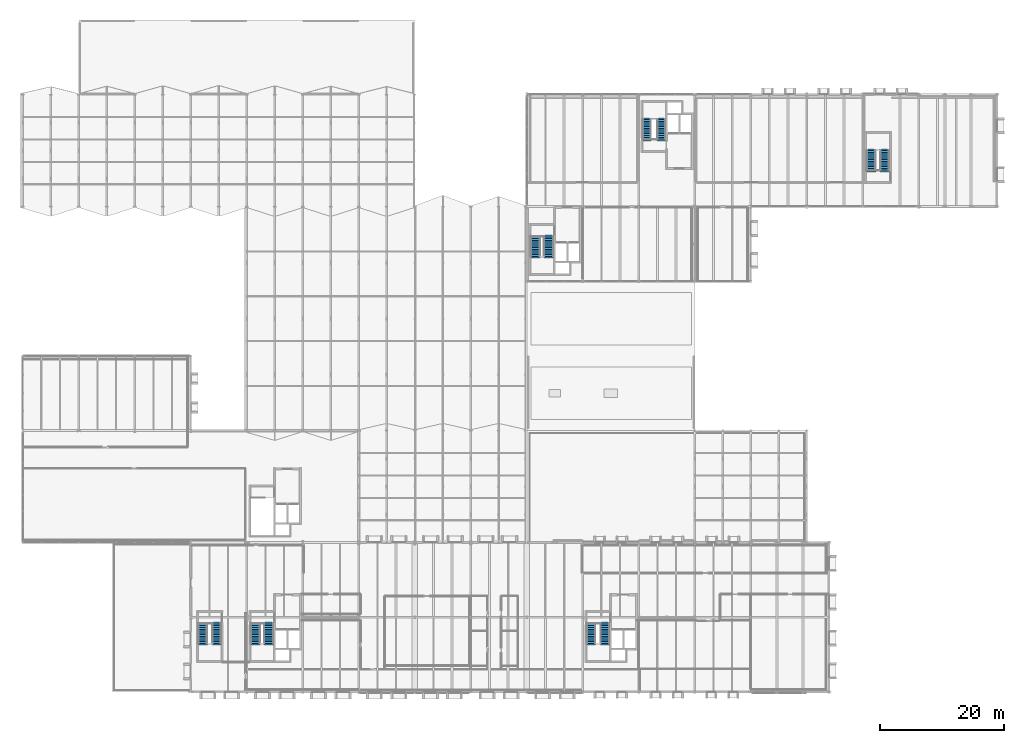
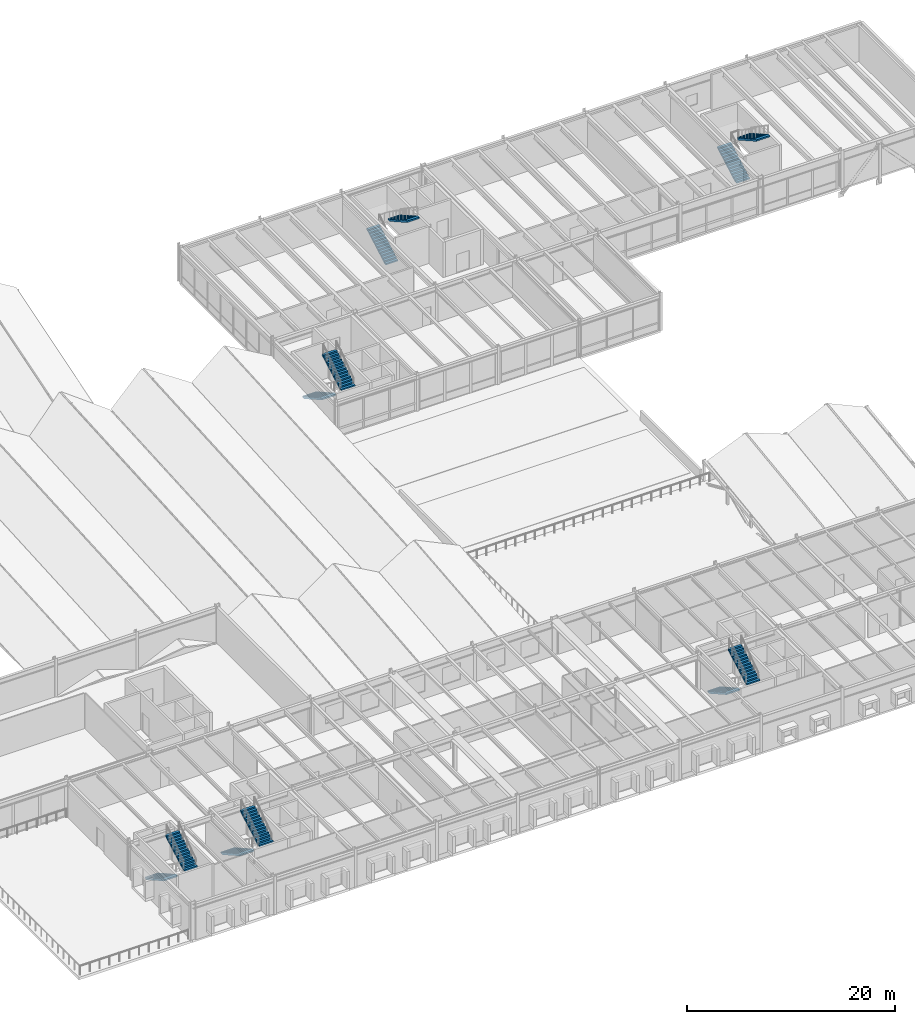
# One storey, part 138 of 142: 12 stair flights, 6 elements without a shape of their own.
"""IFC4 building model written with IfcOpenShell, lengths in metres."""

from ifc_helpers import new_model, si_unit, direction, frame, origin, place, context, subcontext, project, spatial, polyline, outline, extrude, material, type_object, element, aggregate, save


model = new_model("IFC4")

# Units and contexts
model_context = context("Model", 3, precision=1e-05, world=origin(), true_north=direction((0.0, 1.0)))
body_context = subcontext(model_context, "Body", "Model", "MODEL_VIEW")
ifc_project = project(units=[si_unit("LENGTHUNIT", "METRE"), si_unit("AREAUNIT", "SQUARE_METRE"), si_unit("VOLUMEUNIT", "CUBIC_METRE"), si_unit("PLANEANGLEUNIT", "RADIAN"), si_unit("MASSUNIT", "GRAM", prefix="KILO")], contexts=[model_context])

# Site, building, storey
site_placement = place(None, origin())
site = spatial("IfcSite", under=ifc_project, at=site_placement, CompositionType="ELEMENT")
building_placement = place(site_placement, origin())
building = spatial("IfcBuilding", under=site, at=building_placement, Name="Montelvaro Courts of Justice", CompositionType="ELEMENT")
storey_placement = place(building_placement, frame((0.0, 0.0, 14.39990234375)))
storey = spatial("IfcBuildingStorey", under=building, at=storey_placement, Name="L03", CompositionType="ELEMENT", Elevation=14.39990234375)

# Stair, stair flights
ifc_material = material(Name="Concrete C35/45", Category="concrete")
stair_type_1 = type_object("IfcStairType", Name="ProtectedStair_135", PredefinedType="HALF_TURN_STAIR", material=ifc_material)
stair_1_placement = place(storey_placement, origin())
stair_1 = element("IfcStair", 1, at=stair_1_placement, inside=storey, type_object=stair_type_1, Name="Protected Stair ST-K3-L03", PredefinedType="HALF_TURN_STAIR")
stair_flight_type_1 = type_object("IfcStairFlightType", Name="StairFlight_135", PredefinedType="STRAIGHT", material=ifc_material)
stair_flight_1_placement = place(storey_placement, frame((118.27490234375, 88.580078125, 0.0), z_axis=(0.0, 0.0, 1.0), x_axis=(0.0, 1.0, 0.0)))
stair_flight_1 = element("IfcStairFlight", 2, at=stair_flight_1_placement, type_object=stair_flight_type_1, Name="ST-K3-L03 flight 1", NumberOfRisers=14, NumberOfTreads=13, PredefinedType="STRAIGHT", RiserHeight=0.160714286, TreadLength=0.285, context=body_context, shape_type="SweptSolid", body=[
    extrude(outline(polyline([(0.0, 0.0), (0.0, 0.16064453125), (0.284912109375, 0.16064453125), (0.284912109375, 0.321533203125), (0.570068359375, 0.321533203125), (0.570068359375, 0.482177734375), (0.85498046875, 0.482177734375), (0.85498046875, 0.642822265625), (1.139892578125, 0.642822265625), (1.139892578125, 0.803466796875), (1.425048828125, 0.803466796875), (1.425048828125, 0.96435546875), (1.7099609375, 0.96435546875), (1.7099609375, 1.125), (1.9951171875, 1.125), (1.9951171875, 1.28564453125), (2.280029296875, 1.28564453125), (2.280029296875, 1.446533203125), (2.56494140625, 1.446533203125), (2.56494140625, 1.607177734375), (2.85009765625, 1.607177734375), (2.85009765625, 1.767822265625), (3.135009765625, 1.767822265625), (3.135009765625, 1.928466796875), (3.419921875, 1.928466796875), (3.419921875, 2.08935546875), (3.705078125, 2.08935546875), (3.705078125, 2.25), (3.705078125, 1.90576171875), (0.325439453125, 0.0), (0.0, 0.0)])), frame((0.0, 0.675048828125, 0.0), z_axis=(0.0, -1.0, 0.0), x_axis=(1.0, 0.0, 0.0)), (0.0, 0.0, 1.0), 1.35009765625),
])
stair_flight_2_placement = place(storey_placement, frame((120.625, 92.284912109375, 2.25), z_axis=(0.0, 0.0, 1.0), x_axis=(0.0, -1.0, 0.0)))
stair_flight_2 = element("IfcStairFlight", 3, at=stair_flight_2_placement, type_object=stair_flight_type_1, Name="ST-K3-L03 flight 2", NumberOfRisers=14, NumberOfTreads=13, PredefinedType="STRAIGHT", RiserHeight=0.160714286, TreadLength=0.285, context=body_context, shape_type="SweptSolid", body=[
    extrude(outline(polyline([(0.0, 0.0), (0.0, 0.16064453125), (0.284912109375, 0.16064453125), (0.284912109375, 0.321533203125), (0.570068359375, 0.321533203125), (0.570068359375, 0.482177734375), (0.85498046875, 0.482177734375), (0.85498046875, 0.642822265625), (1.139892578125, 0.642822265625), (1.139892578125, 0.803466796875), (1.425048828125, 0.803466796875), (1.425048828125, 0.96435546875), (1.7099609375, 0.96435546875), (1.7099609375, 1.125), (1.9951171875, 1.125), (1.9951171875, 1.28564453125), (2.280029296875, 1.28564453125), (2.280029296875, 1.446533203125), (2.56494140625, 1.446533203125), (2.56494140625, 1.607177734375), (2.85009765625, 1.607177734375), (2.85009765625, 1.767822265625), (3.135009765625, 1.767822265625), (3.135009765625, 1.928466796875), (3.419921875, 1.928466796875), (3.419921875, 2.08935546875), (3.705078125, 2.08935546875), (3.705078125, 2.25), (3.705078125, 1.90576171875), (0.325439453125, 0.0), (0.0, 0.0)])), frame((0.0, 0.675048828125, 0.0), z_axis=(0.0, -1.0, 0.0), x_axis=(1.0, 0.0, 0.0)), (0.0, 0.0, 1.0), 1.35009765625),
])
aggregate(stair_1, [stair_flight_1, stair_flight_2])

stair_type_2 = type_object("IfcStairType", Name="ProtectedStair_145", PredefinedType="HALF_TURN_STAIR", material=ifc_material)
stair_2_placement = place(storey_placement, origin())
stair_2 = element("IfcStair", 4, at=stair_2_placement, inside=storey, type_object=stair_type_2, Name="Protected Stair ST-K2-L03", PredefinedType="HALF_TURN_STAIR")
stair_flight_type_2 = type_object("IfcStairFlightType", Name="StairFlight_145", PredefinedType="STRAIGHT", material=ifc_material)
stair_flight_3_placement = place(storey_placement, frame((109.324951171875, 11.219970703125, 0.0), z_axis=(0.0, 0.0, 1.0), x_axis=(0.0, -1.0, 0.0)))
stair_flight_3 = element("IfcStairFlight", 5, at=stair_flight_3_placement, type_object=stair_flight_type_2, Name="ST-K2-L03 flight 1", NumberOfRisers=14, NumberOfTreads=13, PredefinedType="STRAIGHT", RiserHeight=0.160714286, TreadLength=0.285, context=body_context, shape_type="SweptSolid", body=[
    extrude(outline(polyline([(0.0, 0.0), (0.0, 0.16064453125), (0.284912109375, 0.16064453125), (0.284912109375, 0.321533203125), (0.570068359375, 0.321533203125), (0.570068359375, 0.482177734375), (0.85498046875, 0.482177734375), (0.85498046875, 0.642822265625), (1.139892578125, 0.642822265625), (1.139892578125, 0.803466796875), (1.425048828125, 0.803466796875), (1.425048828125, 0.96435546875), (1.7099609375, 0.96435546875), (1.7099609375, 1.125), (1.9951171875, 1.125), (1.9951171875, 1.28564453125), (2.280029296875, 1.28564453125), (2.280029296875, 1.446533203125), (2.56494140625, 1.446533203125), (2.56494140625, 1.607177734375), (2.85009765625, 1.607177734375), (2.85009765625, 1.767822265625), (3.135009765625, 1.767822265625), (3.135009765625, 1.928466796875), (3.419921875, 1.928466796875), (3.419921875, 2.08935546875), (3.705078125, 2.08935546875), (3.705078125, 2.25), (3.705078125, 1.90576171875), (0.325439453125, 0.0), (0.0, 0.0)])), frame((0.0, 0.72509765625, 0.0), z_axis=(0.0, -1.0, 0.0), x_axis=(1.0, 0.0, 0.0)), (0.0, 0.0, 1.0), 1.449951171875),
])
stair_flight_4_placement = place(storey_placement, frame((111.574951171875, 7.514892578125, 2.25), z_axis=(0.0, 0.0, 1.0), x_axis=(0.0, 1.0, 0.0)))
stair_flight_4 = element("IfcStairFlight", 6, at=stair_flight_4_placement, type_object=stair_flight_type_2, Name="ST-K2-L03 flight 2", NumberOfRisers=14, NumberOfTreads=13, PredefinedType="STRAIGHT", RiserHeight=0.160714286, TreadLength=0.285, context=body_context, shape_type="SweptSolid", body=[
    extrude(outline(polyline([(0.0, 0.0), (0.0, 0.16064453125), (0.284912109375, 0.16064453125), (0.284912109375, 0.321533203125), (0.570068359375, 0.321533203125), (0.570068359375, 0.482177734375), (0.85498046875, 0.482177734375), (0.85498046875, 0.642822265625), (1.139892578125, 0.642822265625), (1.139892578125, 0.803466796875), (1.425048828125, 0.803466796875), (1.425048828125, 0.96435546875), (1.7099609375, 0.96435546875), (1.7099609375, 1.125), (1.9951171875, 1.125), (1.9951171875, 1.28564453125), (2.280029296875, 1.28564453125), (2.280029296875, 1.446533203125), (2.56494140625, 1.446533203125), (2.56494140625, 1.607177734375), (2.85009765625, 1.607177734375), (2.85009765625, 1.767822265625), (3.135009765625, 1.767822265625), (3.135009765625, 1.928466796875), (3.419921875, 1.928466796875), (3.419921875, 2.08935546875), (3.705078125, 2.08935546875), (3.705078125, 2.25), (3.705078125, 1.90576171875), (0.325439453125, 0.0), (0.0, 0.0)])), frame((0.0, 0.72509765625, 0.0), z_axis=(0.0, -1.0, 0.0), x_axis=(1.0, 0.0, 0.0)), (0.0, 0.0, 1.0), 1.449951171875),
])
aggregate(stair_2, [stair_flight_3, stair_flight_4])

stair_3_placement = place(storey_placement, origin())
stair_3 = element("IfcStair", 7, at=stair_3_placement, inside=storey, type_object=stair_type_2, Name="Protected Stair ST-E1-L03", PredefinedType="HALF_TURN_STAIR")
stair_flight_5_placement = place(storey_placement, frame((46.925048828125, 11.219970703125, 0.0), z_axis=(0.0, 0.0, 1.0), x_axis=(0.0, -1.0, 0.0)))
stair_flight_5 = element("IfcStairFlight", 8, at=stair_flight_5_placement, type_object=stair_flight_type_2, Name="ST-E1-L03 flight 1", NumberOfRisers=14, NumberOfTreads=13, PredefinedType="STRAIGHT", RiserHeight=0.160714286, TreadLength=0.285, context=body_context, shape_type="SweptSolid", body=[
    extrude(outline(polyline([(0.0, 0.0), (0.0, 0.16064453125), (0.284912109375, 0.16064453125), (0.284912109375, 0.321533203125), (0.570068359375, 0.321533203125), (0.570068359375, 0.482177734375), (0.85498046875, 0.482177734375), (0.85498046875, 0.642822265625), (1.139892578125, 0.642822265625), (1.139892578125, 0.803466796875), (1.425048828125, 0.803466796875), (1.425048828125, 0.96435546875), (1.7099609375, 0.96435546875), (1.7099609375, 1.125), (1.9951171875, 1.125), (1.9951171875, 1.28564453125), (2.280029296875, 1.28564453125), (2.280029296875, 1.446533203125), (2.56494140625, 1.446533203125), (2.56494140625, 1.607177734375), (2.85009765625, 1.607177734375), (2.85009765625, 1.767822265625), (3.135009765625, 1.767822265625), (3.135009765625, 1.928466796875), (3.419921875, 1.928466796875), (3.419921875, 2.08935546875), (3.705078125, 2.08935546875), (3.705078125, 2.25), (3.705078125, 1.90576171875), (0.325439453125, 0.0), (0.0, 0.0)])), frame((0.0, 0.72509765625, 0.0), z_axis=(0.0, -1.0, 0.0), x_axis=(1.0, 0.0, 0.0)), (0.0, 0.0, 1.0), 1.449951171875),
])
stair_flight_6_placement = place(storey_placement, frame((49.175048828125, 7.514892578125, 2.25), z_axis=(0.0, 0.0, 1.0), x_axis=(0.0, 1.0, 0.0)))
stair_flight_6 = element("IfcStairFlight", 9, at=stair_flight_6_placement, type_object=stair_flight_type_2, Name="ST-E1-L03 flight 2", NumberOfRisers=14, NumberOfTreads=13, PredefinedType="STRAIGHT", RiserHeight=0.160714286, TreadLength=0.285, context=body_context, shape_type="SweptSolid", body=[
    extrude(outline(polyline([(0.0, 0.0), (0.0, 0.16064453125), (0.284912109375, 0.16064453125), (0.284912109375, 0.321533203125), (0.570068359375, 0.321533203125), (0.570068359375, 0.482177734375), (0.85498046875, 0.482177734375), (0.85498046875, 0.642822265625), (1.139892578125, 0.642822265625), (1.139892578125, 0.803466796875), (1.425048828125, 0.803466796875), (1.425048828125, 0.96435546875), (1.7099609375, 0.96435546875), (1.7099609375, 1.125), (1.9951171875, 1.125), (1.9951171875, 1.28564453125), (2.280029296875, 1.28564453125), (2.280029296875, 1.446533203125), (2.56494140625, 1.446533203125), (2.56494140625, 1.607177734375), (2.85009765625, 1.607177734375), (2.85009765625, 1.767822265625), (3.135009765625, 1.767822265625), (3.135009765625, 1.928466796875), (3.419921875, 1.928466796875), (3.419921875, 2.08935546875), (3.705078125, 2.08935546875), (3.705078125, 2.25), (3.705078125, 1.90576171875), (0.325439453125, 0.0), (0.0, 0.0)])), frame((0.0, 0.72509765625, 0.0), z_axis=(0.0, -1.0, 0.0), x_axis=(1.0, 0.0, 0.0)), (0.0, 0.0, 1.0), 1.449951171875),
])
aggregate(stair_3, [stair_flight_5, stair_flight_6])

stair_type_3 = type_object("IfcStairType", Name="ProtectedStair_150", PredefinedType="HALF_TURN_STAIR", material=ifc_material)
stair_4_placement = place(storey_placement, origin())
stair_4 = element("IfcStair", 10, at=stair_4_placement, inside=storey, type_object=stair_type_3, Name="Protected Stair ST-V2-L03", PredefinedType="HALF_TURN_STAIR")
stair_flight_type_3 = type_object("IfcStairFlightType", Name="StairFlight_150", PredefinedType="STRAIGHT", material=ifc_material)
stair_flight_7_placement = place(storey_placement, frame((154.35009765625, 83.580078125, 0.0), z_axis=(0.0, 0.0, 1.0), x_axis=(0.0, 1.0, 0.0)))
stair_flight_7 = element("IfcStairFlight", 11, at=stair_flight_7_placement, type_object=stair_flight_type_3, Name="ST-V2-L03 flight 1", NumberOfRisers=14, NumberOfTreads=13, PredefinedType="STRAIGHT", RiserHeight=0.160714286, TreadLength=0.285, context=body_context, shape_type="SweptSolid", body=[
    extrude(outline(polyline([(0.0, 0.0), (0.0, 0.16064453125), (0.284912109375, 0.16064453125), (0.284912109375, 0.321533203125), (0.570068359375, 0.321533203125), (0.570068359375, 0.482177734375), (0.85498046875, 0.482177734375), (0.85498046875, 0.642822265625), (1.139892578125, 0.642822265625), (1.139892578125, 0.803466796875), (1.425048828125, 0.803466796875), (1.425048828125, 0.96435546875), (1.7099609375, 0.96435546875), (1.7099609375, 1.125), (1.9951171875, 1.125), (1.9951171875, 1.28564453125), (2.280029296875, 1.28564453125), (2.280029296875, 1.446533203125), (2.56494140625, 1.446533203125), (2.56494140625, 1.607177734375), (2.85009765625, 1.607177734375), (2.85009765625, 1.767822265625), (3.135009765625, 1.767822265625), (3.135009765625, 1.928466796875), (3.419921875, 1.928466796875), (3.419921875, 2.08935546875), (3.705078125, 2.08935546875), (3.705078125, 2.25), (3.705078125, 1.90576171875), (0.325439453125, 0.0), (0.0, 0.0)])), frame((0.0, 0.75, 0.0), z_axis=(0.0, -1.0, 0.0), x_axis=(1.0, 0.0, 0.0)), (0.0, 0.0, 1.0), 1.5),
])
stair_flight_8_placement = place(storey_placement, frame((156.550048828125, 87.284912109375, 2.25), z_axis=(0.0, 0.0, 1.0), x_axis=(0.0, -1.0, 0.0)))
stair_flight_8 = element("IfcStairFlight", 12, at=stair_flight_8_placement, type_object=stair_flight_type_3, Name="ST-V2-L03 flight 2", NumberOfRisers=14, NumberOfTreads=13, PredefinedType="STRAIGHT", RiserHeight=0.160714286, TreadLength=0.285, context=body_context, shape_type="SweptSolid", body=[
    extrude(outline(polyline([(0.0, 0.0), (0.0, 0.16064453125), (0.284912109375, 0.16064453125), (0.284912109375, 0.321533203125), (0.570068359375, 0.321533203125), (0.570068359375, 0.482177734375), (0.85498046875, 0.482177734375), (0.85498046875, 0.642822265625), (1.139892578125, 0.642822265625), (1.139892578125, 0.803466796875), (1.425048828125, 0.803466796875), (1.425048828125, 0.96435546875), (1.7099609375, 0.96435546875), (1.7099609375, 1.125), (1.9951171875, 1.125), (1.9951171875, 1.28564453125), (2.280029296875, 1.28564453125), (2.280029296875, 1.446533203125), (2.56494140625, 1.446533203125), (2.56494140625, 1.607177734375), (2.85009765625, 1.607177734375), (2.85009765625, 1.767822265625), (3.135009765625, 1.767822265625), (3.135009765625, 1.928466796875), (3.419921875, 1.928466796875), (3.419921875, 2.08935546875), (3.705078125, 2.08935546875), (3.705078125, 2.25), (3.705078125, 1.90576171875), (0.325439453125, 0.0), (0.0, 0.0)])), frame((0.0, 0.75, 0.0), z_axis=(0.0, -1.0, 0.0), x_axis=(1.0, 0.0, 0.0)), (0.0, 0.0, 1.0), 1.5),
])
aggregate(stair_4, [stair_flight_7, stair_flight_8])

stair_type_4 = type_object("IfcStairType", Name="ProtectedStair_155", PredefinedType="HALF_TURN_STAIR", material=ifc_material)
stair_5_placement = place(storey_placement, origin())
stair_5 = element("IfcStair", 13, at=stair_5_placement, inside=storey, type_object=stair_type_4, Name="Protected Stair ST-K1-L03", PredefinedType="HALF_TURN_STAIR")
stair_flight_type_4 = type_object("IfcStairFlightType", Name="StairFlight_155", PredefinedType="STRAIGHT", material=ifc_material)
stair_flight_9_placement = place(storey_placement, frame((55.375, 11.219970703125, 0.0), z_axis=(0.0, 0.0, 1.0), x_axis=(0.0, -1.0, 0.0)))
stair_flight_9 = element("IfcStairFlight", 14, at=stair_flight_9_placement, type_object=stair_flight_type_4, Name="ST-K1-L03 flight 1", NumberOfRisers=14, NumberOfTreads=13, PredefinedType="STRAIGHT", RiserHeight=0.160714286, TreadLength=0.285, context=body_context, shape_type="SweptSolid", body=[
    extrude(outline(polyline([(0.0, 0.0), (0.0, 0.16064453125), (0.284912109375, 0.16064453125), (0.284912109375, 0.321533203125), (0.570068359375, 0.321533203125), (0.570068359375, 0.482177734375), (0.85498046875, 0.482177734375), (0.85498046875, 0.642822265625), (1.139892578125, 0.642822265625), (1.139892578125, 0.803466796875), (1.425048828125, 0.803466796875), (1.425048828125, 0.96435546875), (1.7099609375, 0.96435546875), (1.7099609375, 1.125), (1.9951171875, 1.125), (1.9951171875, 1.28564453125), (2.280029296875, 1.28564453125), (2.280029296875, 1.446533203125), (2.56494140625, 1.446533203125), (2.56494140625, 1.607177734375), (2.85009765625, 1.607177734375), (2.85009765625, 1.767822265625), (3.135009765625, 1.767822265625), (3.135009765625, 1.928466796875), (3.419921875, 1.928466796875), (3.419921875, 2.08935546875), (3.705078125, 2.08935546875), (3.705078125, 2.25), (3.705078125, 1.90576171875), (0.325439453125, 0.0), (0.0, 0.0)])), frame((0.0, 0.77490234375, 0.0), z_axis=(0.0, -1.0, 0.0), x_axis=(1.0, 0.0, 0.0)), (0.0, 0.0, 1.0), 1.550048828125),
])
stair_flight_10_placement = place(storey_placement, frame((57.52490234375, 7.514892578125, 2.25), z_axis=(0.0, 0.0, 1.0), x_axis=(0.0, 1.0, 0.0)))
stair_flight_10 = element("IfcStairFlight", 15, at=stair_flight_10_placement, type_object=stair_flight_type_4, Name="ST-K1-L03 flight 2", NumberOfRisers=14, NumberOfTreads=13, PredefinedType="STRAIGHT", RiserHeight=0.160714286, TreadLength=0.285, context=body_context, shape_type="SweptSolid", body=[
    extrude(outline(polyline([(0.0, 0.0), (0.0, 0.16064453125), (0.284912109375, 0.16064453125), (0.284912109375, 0.321533203125), (0.570068359375, 0.321533203125), (0.570068359375, 0.482177734375), (0.85498046875, 0.482177734375), (0.85498046875, 0.642822265625), (1.139892578125, 0.642822265625), (1.139892578125, 0.803466796875), (1.425048828125, 0.803466796875), (1.425048828125, 0.96435546875), (1.7099609375, 0.96435546875), (1.7099609375, 1.125), (1.9951171875, 1.125), (1.9951171875, 1.28564453125), (2.280029296875, 1.28564453125), (2.280029296875, 1.446533203125), (2.56494140625, 1.446533203125), (2.56494140625, 1.607177734375), (2.85009765625, 1.607177734375), (2.85009765625, 1.767822265625), (3.135009765625, 1.767822265625), (3.135009765625, 1.928466796875), (3.419921875, 1.928466796875), (3.419921875, 2.08935546875), (3.705078125, 2.08935546875), (3.705078125, 2.25), (3.705078125, 1.90576171875), (0.325439453125, 0.0), (0.0, 0.0)])), frame((0.0, 0.77490234375, 0.0), z_axis=(0.0, -1.0, 0.0), x_axis=(1.0, 0.0, 0.0)), (0.0, 0.0, 1.0), 1.550048828125),
])
aggregate(stair_5, [stair_flight_9, stair_flight_10])

stair_6_placement = place(storey_placement, origin())
stair_6 = element("IfcStair", 16, at=stair_6_placement, inside=storey, type_object=stair_type_4, Name="Protected Stair ST-K4-L03", PredefinedType="HALF_TURN_STAIR")
stair_flight_11_placement = place(storey_placement, frame((100.375, 73.419921875, 0.0), z_axis=(0.0, 0.0, 1.0), x_axis=(0.0, -1.0, 0.0)))
stair_flight_11 = element("IfcStairFlight", 17, at=stair_flight_11_placement, type_object=stair_flight_type_4, Name="ST-K4-L03 flight 1", NumberOfRisers=14, NumberOfTreads=13, PredefinedType="STRAIGHT", RiserHeight=0.160714286, TreadLength=0.285, context=body_context, shape_type="SweptSolid", body=[
    extrude(outline(polyline([(0.0, 0.0), (0.0, 0.16064453125), (0.284912109375, 0.16064453125), (0.284912109375, 0.321533203125), (0.570068359375, 0.321533203125), (0.570068359375, 0.482177734375), (0.85498046875, 0.482177734375), (0.85498046875, 0.642822265625), (1.139892578125, 0.642822265625), (1.139892578125, 0.803466796875), (1.425048828125, 0.803466796875), (1.425048828125, 0.96435546875), (1.7099609375, 0.96435546875), (1.7099609375, 1.125), (1.9951171875, 1.125), (1.9951171875, 1.28564453125), (2.280029296875, 1.28564453125), (2.280029296875, 1.446533203125), (2.56494140625, 1.446533203125), (2.56494140625, 1.607177734375), (2.85009765625, 1.607177734375), (2.85009765625, 1.767822265625), (3.135009765625, 1.767822265625), (3.135009765625, 1.928466796875), (3.419921875, 1.928466796875), (3.419921875, 2.08935546875), (3.705078125, 2.08935546875), (3.705078125, 2.25), (3.705078125, 1.90576171875), (0.325439453125, 0.0), (0.0, 0.0)])), frame((0.0, 0.77490234375, 0.0), z_axis=(0.0, -1.0, 0.0), x_axis=(1.0, 0.0, 0.0)), (0.0, 0.0, 1.0), 1.550048828125),
])
stair_flight_12_placement = place(storey_placement, frame((102.52490234375, 69.715087890625, 2.25), z_axis=(0.0, 0.0, 1.0), x_axis=(0.0, 1.0, 0.0)))
stair_flight_12 = element("IfcStairFlight", 18, at=stair_flight_12_placement, type_object=stair_flight_type_4, Name="ST-K4-L03 flight 2", NumberOfRisers=14, NumberOfTreads=13, PredefinedType="STRAIGHT", RiserHeight=0.160714286, TreadLength=0.285, context=body_context, shape_type="SweptSolid", body=[
    extrude(outline(polyline([(0.0, 0.0), (0.0, 0.16064453125), (0.284912109375, 0.16064453125), (0.284912109375, 0.321533203125), (0.570068359375, 0.321533203125), (0.570068359375, 0.482177734375), (0.85498046875, 0.482177734375), (0.85498046875, 0.642822265625), (1.139892578125, 0.642822265625), (1.139892578125, 0.803466796875), (1.425048828125, 0.803466796875), (1.425048828125, 0.96435546875), (1.7099609375, 0.96435546875), (1.7099609375, 1.125), (1.9951171875, 1.125), (1.9951171875, 1.28564453125), (2.280029296875, 1.28564453125), (2.280029296875, 1.446533203125), (2.56494140625, 1.446533203125), (2.56494140625, 1.607177734375), (2.85009765625, 1.607177734375), (2.85009765625, 1.767822265625), (3.135009765625, 1.767822265625), (3.135009765625, 1.928466796875), (3.419921875, 1.928466796875), (3.419921875, 2.08935546875), (3.705078125, 2.08935546875), (3.705078125, 2.25), (3.705078125, 1.90576171875), (0.325439453125, 0.0), (0.0, 0.0)])), frame((0.0, 0.77490234375, 0.0), z_axis=(0.0, -1.0, 0.0), x_axis=(1.0, 0.0, 0.0)), (0.0, 0.0, 1.0), 1.550048828125),
])
aggregate(stair_6, [stair_flight_11, stair_flight_12])

save(model, "model.ifc")
